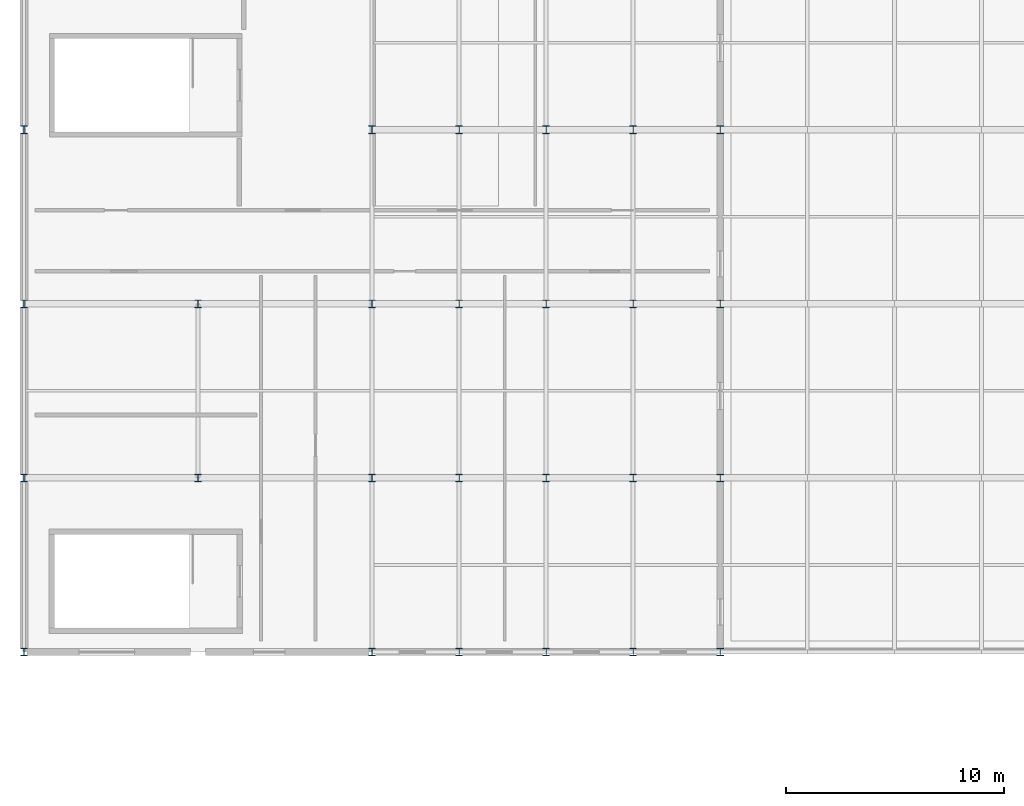
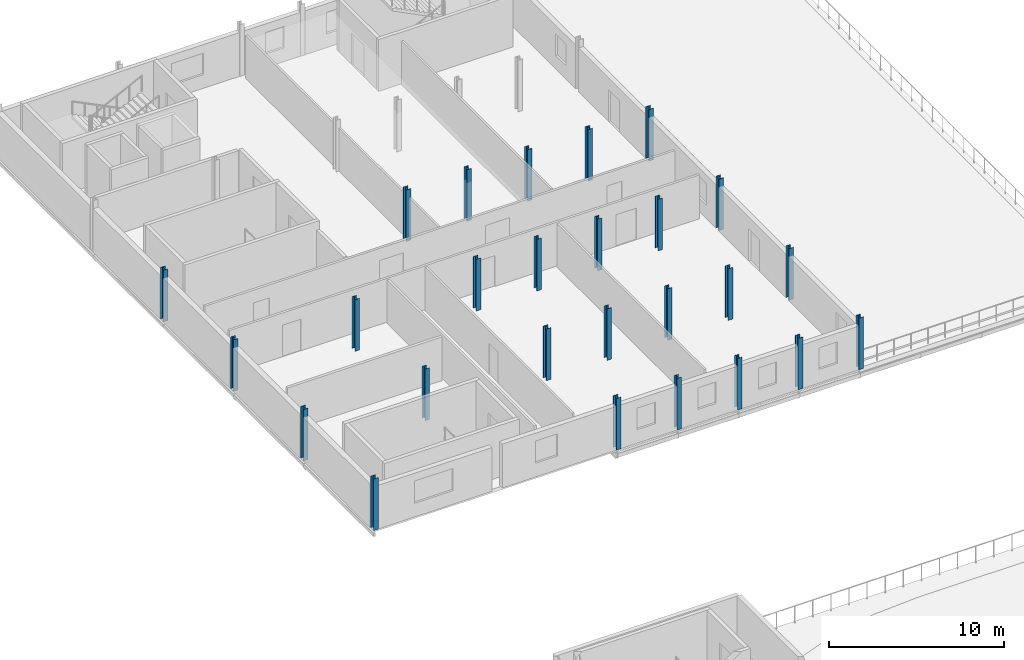
# One storey, part 1 of 11: 26 columns.
"""IFC4 building model written with IfcOpenShell, lengths in metres."""

from ifc_helpers import new_model, si_unit, derived_unit, direction, frame, origin, origin_2d, place, context, subcontext, project, spatial, i_section, extrude, material, material_profile, profile_set, type_object, element, save


model = new_model("IFC4")

# Units and contexts
model_context = context("Model", 3, precision=1e-05, world=origin(), true_north=direction((0.0, 1.0)))
body_context = subcontext(model_context, "Body", "Model", "MODEL_VIEW")
ifc_project = project(units=[si_unit("LENGTHUNIT", "METRE"), si_unit("AREAUNIT", "SQUARE_METRE"), si_unit("VOLUMEUNIT", "CUBIC_METRE"), si_unit("PLANEANGLEUNIT", "RADIAN"), si_unit("MASSUNIT", "GRAM", prefix="KILO"), derived_unit("THERMALTRANSMITTANCEUNIT", [(si_unit("POWERUNIT", "WATT"), 1), (si_unit("LENGTHUNIT", "METRE"), -2), (si_unit("THERMODYNAMICTEMPERATUREUNIT", "KELVIN"), -1)])], contexts=[model_context])

# Site, building, storey
site_placement = place(None, origin())
site = spatial("IfcSite", under=ifc_project, at=site_placement, CompositionType="ELEMENT")
building_placement = place(site_placement, origin())
building = spatial("IfcBuilding", under=site, at=building_placement, Name="Keldorne Ridge Multi-Sports Centre", CompositionType="ELEMENT")
storey_placement = place(building_placement, frame((0.0, 0.0, 18.60009765625)))
storey = spatial("IfcBuildingStorey", under=building, at=storey_placement, Name="L04", CompositionType="ELEMENT", Elevation=18.60009765625)

# Columns
ifc_material = material(Name="Steel S355", Category="steel")
ifc_material_profile = material_profile(ifc_material, i_section(OverallWidth=0.300048828125, OverallDepth=0.35009765625, WebThickness=0.010009765625, FlangeThickness=0.017578125, FilletRadius=0.027099609375, at=origin_2d()), Name="HEA 360")
ifc_profile_set = profile_set([ifc_material_profile], Name="Steel S355")
column_type = type_object("IfcColumnType", Name="COL-C-16", PredefinedType="COLUMN", material=ifc_profile_set)
for number, where, z_axis, x_axis, name in (
    (1, (104.0, 74.0, 0.0), (0.0, 0.0, 1.0), (1.0, 0.0, 0.0), "Structural column V5-C-01-02 on L04"),
    (2, (104.0, 82.0, 0.0), (0.0, 0.0, 1.0), (1.0, 0.0, 0.0), "Structural column V5-C-01-03 on L04"),
    (3, (104.0, 90.0, 0.0), (0.0, 0.0, 1.0), (1.0, 0.0, 0.0), "Structural column V5-C-01-04 on L04"),
    (4, (104.0, 98.0, 0.0), (0.0, 0.0, 1.0), (1.0, 0.0, 0.0), "Structural column V5-C-01-05 on L04"),
    (5, (112.0, 82.0, 0.0), (0.0, 0.0, 1.0), (1.0, 0.0, 0.0), "Structural column V5-C-02-03 on L04"),
    (6, (112.0, 90.0, 0.0), (0.0, 0.0, 1.0), (1.0, 0.0, 0.0), "Structural column V5-C-02-04 on L04"),
    (7, (120.0, 74.0, 0.0), (0.0, 0.0, 1.0), (1.0, 0.0, 0.0), "Structural column V5-C-03-02 on L04"),
    (8, (120.0, 82.0, 0.0), (0.0, 0.0, 1.0), (1.0, 0.0, 0.0), "Structural column V5-C-03-03 on L04"),
    (9, (120.0, 90.0, 0.0), (0.0, 0.0, 1.0), (1.0, 0.0, 0.0), "Structural column V5-C-03-04 on L04"),
    (10, (120.0, 98.0, 0.0), (0.0, 0.0, 1.0), (1.0, 0.0, 0.0), "Structural column V5-C-03-05 on L04"),
    (11, (124.0, 74.0, 0.0), (0.0, 0.0, 1.0), (1.0, 0.0, 0.0), "Structural column V5-C-04-02 on L04"),
    (12, (124.0, 82.0, 0.0), (0.0, 0.0, 1.0), (1.0, 0.0, 0.0), "Structural column V5-C-04-03 on L04"),
    (13, (124.0, 90.0, 0.0), (0.0, 0.0, 1.0), (1.0, 0.0, 0.0), "Structural column V5-C-04-04 on L04"),
    (14, (124.0, 98.0, 0.0), (0.0, 0.0, 1.0), (1.0, 0.0, 0.0), "Structural column V5-C-04-05 on L04"),
    (15, (128.0, 74.0, 0.0), (0.0, 0.0, 1.0), (1.0, 0.0, 0.0), "Structural column V5-C-05-02 on L04"),
    (16, (128.0, 82.0, 0.0), (0.0, 0.0, 1.0), (1.0, 0.0, 0.0), "Structural column V5-C-05-03 on L04"),
    (17, (128.0, 90.0, 0.0), (0.0, 0.0, 1.0), (1.0, 0.0, 0.0), "Structural column V5-C-05-04 on L04"),
    (18, (128.0, 98.0, 0.0), (0.0, 0.0, 1.0), (1.0, 0.0, 0.0), "Structural column V5-C-05-05 on L04"),
    (19, (132.0, 74.0, 0.0), (0.0, 0.0, 1.0), (1.0, 0.0, 0.0), "Structural column V5-C-06-02 on L04"),
    (20, (132.0, 82.0, 0.0), (0.0, 0.0, 1.0), (1.0, 0.0, 0.0), "Structural column V5-C-06-03 on L04"),
    (21, (132.0, 90.0, 0.0), (0.0, 0.0, 1.0), (1.0, 0.0, 0.0), "Structural column V5-C-06-04 on L04"),
    (22, (132.0, 98.0, 0.0), (0.0, 0.0, 1.0), (1.0, 0.0, 0.0), "Structural column V5-C-06-05 on L04"),
    (23, (136.0, 74.0, 0.0), (0.0, 0.0, 1.0), (1.0, 0.0, 0.0), "Structural column V5-C-07-02 on L04"),
    (24, (136.0, 82.0, 0.0), (0.0, 0.0, 1.0), (1.0, 0.0, 0.0), "Structural column V5-C-07-03 on L04"),
    (25, (136.0, 90.0, 0.0), (0.0, 0.0, 1.0), (1.0, 0.0, 0.0), "Structural column V5-C-07-04 on L04"),
    (26, (136.0, 98.0, 0.0), (0.0, 0.0, 1.0), (1.0, 0.0, 0.0), "Structural column V5-C-07-05 on L04"),
):
    element("IfcColumn", number, at=place(storey_placement, frame(where, z_axis=z_axis, x_axis=x_axis)), inside=storey, type_object=column_type, Name=name, PredefinedType="COLUMN", context=body_context, shape_type="SweptSolid", body=[
        extrude(i_section(OverallWidth=0.300048828125, OverallDepth=0.35009765625, WebThickness=0.010009765625, FlangeThickness=0.017578125, FilletRadius=0.027099609375, at=origin_2d()), origin(), (0.0, 0.0, 1.0), 3.599853515625),
    ])

save(model, "model.ifc")
